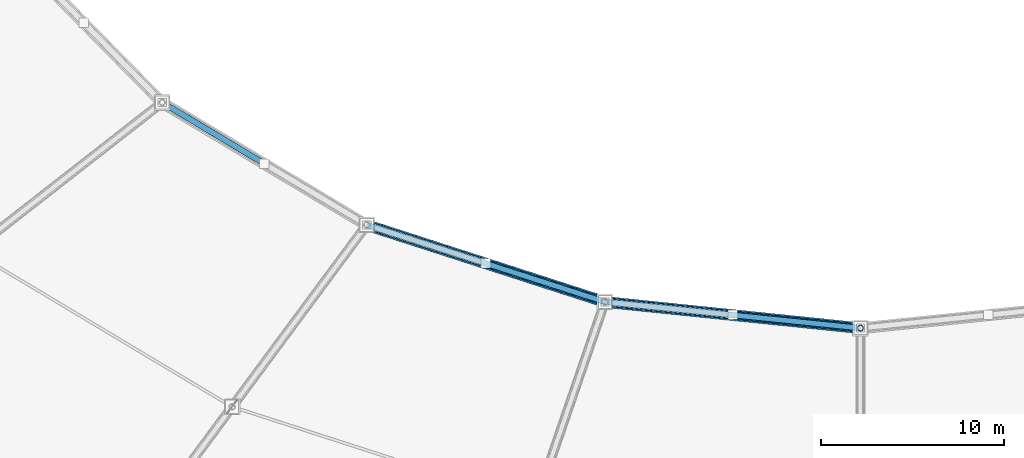
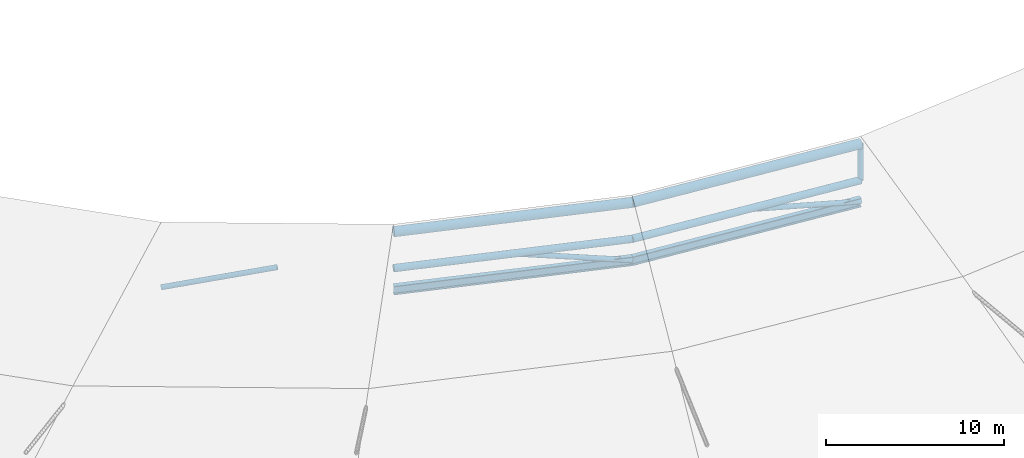
# One storey, part 20 of 115: 8 members, 2 beams.
"""IFC4 building model written with IfcOpenShell, lengths in metres."""

from ifc_helpers import new_model, si_unit, direction, frame, origin, origin_2d, place, context, subcontext, project, spatial, hollow_circle, i_section, extrude, material, material_profile, profile_set, type_object, element, save


model = new_model("IFC4")

# Units and contexts
model_context = context("Model", 3, precision=1e-05, world=origin(), true_north=direction((0.0, 1.0)))
body_context = subcontext(model_context, "Body", "Model", "MODEL_VIEW")
ifc_project = project(units=[si_unit("LENGTHUNIT", "METRE"), si_unit("AREAUNIT", "SQUARE_METRE"), si_unit("VOLUMEUNIT", "CUBIC_METRE"), si_unit("PLANEANGLEUNIT", "RADIAN"), si_unit("MASSUNIT", "GRAM", prefix="KILO")], contexts=[model_context])

# Site, building, storey
site_placement = place(None, origin())
site = spatial("IfcSite", under=ifc_project, at=site_placement, CompositionType="ELEMENT")
building_placement = place(site_placement, origin())
building = spatial("IfcBuilding", under=site, at=building_placement, Name="Zlatoyarsky Gate Stadium", CompositionType="ELEMENT")
storey_placement = place(building_placement, frame((0.0, 0.0, 31.800048828125)))
storey = spatial("IfcBuildingStorey", under=building, at=storey_placement, Name="RF", CompositionType="ELEMENT", Elevation=31.800048828125)

# Members
ifc_material = material(Name="Steel S355", Category="steel")
ifc_material_profile_1 = material_profile(ifc_material, hollow_circle(Radius=0.228515625, WallThickness=0.02490234375, at=origin_2d()), Name="CHS 457X25")
ifc_profile_set_1 = profile_set([ifc_material_profile_1], Name="Steel S355")
member_type_1 = type_object("IfcMemberType", Name="STEEL ARCH BOTTOM CHORD CHS 457X25", PredefinedType="CHORD", material=ifc_profile_set_1)
member_1_placement = place(storey_placement, frame((83.992431640625, 43.510009765625, 6.449951171875), z_axis=(0.951563800973, -0.307451350098, 0.0), x_axis=(0.307451350098, 0.951563800973, 0.0)))
element("IfcMember", 1, at=member_1_placement, inside=storey, type_object=member_type_1, Name="Inner tension ring bottom chord 16", PredefinedType="CHORD", context=body_context, shape_type="SweptSolid", body=[
    extrude(hollow_circle(Radius=0.228515625, WallThickness=0.02490234375, at=origin_2d()), origin(), (0.0, 0.0, 1.0), 13.690673828125),
])
member_2_placement = place(storey_placement, frame((97.02001953125, 39.30078125, 6.449951171875), z_axis=(0.99476736864, -0.102165954647, 0.0), x_axis=(0.102165954647, 0.99476736864, 0.0)))
element("IfcMember", 2, at=member_2_placement, inside=storey, type_object=member_type_1, Name="Inner tension ring bottom chord 17", PredefinedType="CHORD", context=body_context, shape_type="SweptSolid", body=[
    extrude(hollow_circle(Radius=0.228515625, WallThickness=0.02490234375, at=origin_2d()), origin(), (0.0, 0.0, 1.0), 14.053466796875),
])

# Beams
ifc_material_profile_2 = material_profile(ifc_material, i_section(OverallWidth=0.300048828125, OverallDepth=0.60009765625, WebThickness=0.015380859375, FlangeThickness=0.030029296875, FilletRadius=0.027099609375, at=origin_2d()), Name="HEB 600")
ifc_profile_set_2 = profile_set([ifc_material_profile_2], Name="Steel S355")
beam_type = type_object("IfcBeamType", Name="STEEL INNER CATWALK RING BEAM HEB 600", PredefinedType="USERDEFINED", material=ifc_profile_set_2)
beam_1_placement = place(storey_placement, frame((83.992431640625, 43.510009765625, 5.0), z_axis=(0.951563800973, -0.307451350098, 0.0), x_axis=(0.307451350098, 0.951563800973, 0.0)))
element("IfcBeam", 3, at=beam_1_placement, inside=storey, type_object=beam_type, Name="Inner lighting catwalk ring beam 16", ObjectType="RING BEAM", PredefinedType="USERDEFINED", context=body_context, shape_type="SweptSolid", body=[
    extrude(i_section(OverallWidth=0.300048828125, OverallDepth=0.60009765625, WebThickness=0.015380859375, FlangeThickness=0.030029296875, FilletRadius=0.027099609375, at=origin_2d()), origin(), (0.0, 0.0, 1.0), 13.690673828125),
])
beam_2_placement = place(storey_placement, frame((97.02001953125, 39.30078125, 5.0), z_axis=(0.99476736864, -0.102165954647, 0.0), x_axis=(0.102165954647, 0.99476736864, 0.0)))
element("IfcBeam", 4, at=beam_2_placement, inside=storey, type_object=beam_type, Name="Inner lighting catwalk ring beam 17", ObjectType="RING BEAM", PredefinedType="USERDEFINED", context=body_context, shape_type="SweptSolid", body=[
    extrude(i_section(OverallWidth=0.300048828125, OverallDepth=0.60009765625, WebThickness=0.015380859375, FlangeThickness=0.030029296875, FilletRadius=0.027099609375, at=origin_2d()), origin(), (0.0, 0.0, 1.0), 14.053466796875),
])

# Members
ifc_material_profile_3 = material_profile(ifc_material, hollow_circle(Radius=0.304931640625, WallThickness=0.030029296875, at=origin_2d()), Name="CHS 610X30")
ifc_profile_set_3 = profile_set([ifc_material_profile_3], Name="Steel S355")
member_type_2 = type_object("IfcMemberType", Name="STEEL TENSION RING CHORD CHS 610X30", PredefinedType="CHORD", material=ifc_profile_set_3)
member_3_placement = place(storey_placement, frame((83.992431640625, 43.510009765625, 8.949951171875), z_axis=(0.951563800973, -0.307451350098, 0.0), x_axis=(0.307451350098, 0.951563800973, 0.0)))
element("IfcMember", 5, at=member_3_placement, inside=storey, type_object=member_type_2, Name="Inner tension ring top chord 16", PredefinedType="CHORD", context=body_context, shape_type="SweptSolid", body=[
    extrude(hollow_circle(Radius=0.304931640625, WallThickness=0.030029296875, at=origin_2d()), origin(), (0.0, 0.0, 1.0), 13.690673828125),
])
member_4_placement = place(storey_placement, frame((97.02001953125, 39.30078125, 8.949951171875), z_axis=(0.99476736864, -0.102165954647, 0.0), x_axis=(0.102165954647, 0.99476736864, 0.0)))
element("IfcMember", 6, at=member_4_placement, inside=storey, type_object=member_type_2, Name="Inner tension ring top chord 17", PredefinedType="CHORD", context=body_context, shape_type="SweptSolid", body=[
    extrude(hollow_circle(Radius=0.304931640625, WallThickness=0.030029296875, at=origin_2d()), origin(), (0.0, 0.0, 1.0), 14.053466796875),
])
ifc_material_profile_4 = material_profile(ifc_material, hollow_circle(Radius=0.161865234375, WallThickness=0.01611328125, at=origin_2d()), Name="CHS 323.9X16")
ifc_profile_set_4 = profile_set([ifc_material_profile_4], Name="Steel S355")
member_type_3 = type_object("IfcMemberType", Name="STEEL TRUSS WEB STRUT CHS 323.9X16", PredefinedType="STRUT", material=ifc_profile_set_4)
member_5_placement = place(storey_placement, frame((72.8056640625, 50.2060546875, 5.0), z_axis=(0.837579237404, -0.501319195257, 0.217117676703), x_axis=(0.513570187575, 0.858047587511, 0.0)))
element("IfcMember", 7, at=member_5_placement, inside=storey, type_object=member_type_3, Name="Catwalk V-hanger strut 15A", PredefinedType="STRUT", context=body_context, shape_type="SweptSolid", body=[
    extrude(hollow_circle(Radius=0.161865234375, WallThickness=0.01611328125, at=origin_2d()), origin(), (0.0, 0.0, 1.0), 6.67822265625),
])
member_6_placement = place(storey_placement, frame((97.02001953125, 39.30078125, 5.0), z_axis=(-0.93090739616, 0.300789050721, 0.207213336299), x_axis=(-0.307462279666, -0.951560269548, 0.0)))
element("IfcMember", 8, at=member_6_placement, inside=storey, type_object=member_type_3, Name="Catwalk V-hanger strut 16B", PredefinedType="STRUT", context=body_context, shape_type="SweptSolid", body=[
    extrude(hollow_circle(Radius=0.161865234375, WallThickness=0.01611328125, at=origin_2d()), origin(), (0.0, 0.0, 1.0), 6.997314453125),
])
member_7_placement = place(storey_placement, frame((111.0, 37.864990234375, 5.0), z_axis=(-0.974240724945, 0.100074813037, 0.202089192325), x_axis=(-0.10218314548, -0.994765602934, 0.0)))
element("IfcMember", 9, at=member_7_placement, inside=storey, type_object=member_type_3, Name="Catwalk V-hanger strut 17B", PredefinedType="STRUT", context=body_context, shape_type="SweptSolid", body=[
    extrude(hollow_circle(Radius=0.161865234375, WallThickness=0.01611328125, at=origin_2d()), origin(), (0.0, 0.0, 1.0), 7.1748046875),
])
member_8_placement = place(storey_placement, frame((111.0, 37.864990234375, 6.449951171875), z_axis=(0.0, 0.0, 1.0), x_axis=(1.0, 0.0, 0.0)))
element("IfcMember", 10, at=member_8_placement, inside=storey, type_object=member_type_3, Name="Radial truss R19 web strut 3", PredefinedType="STRUT", context=body_context, shape_type="SweptSolid", body=[
    extrude(hollow_circle(Radius=0.161865234375, WallThickness=0.01611328125, at=origin_2d()), origin(), (0.0, 0.0, 1.0), 2.5),
])

save(model, "model.ifc")
